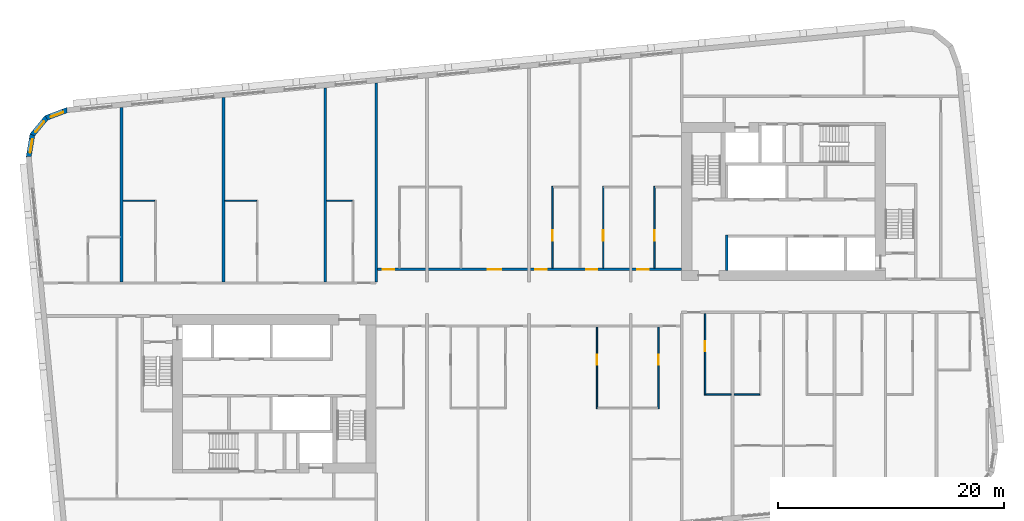
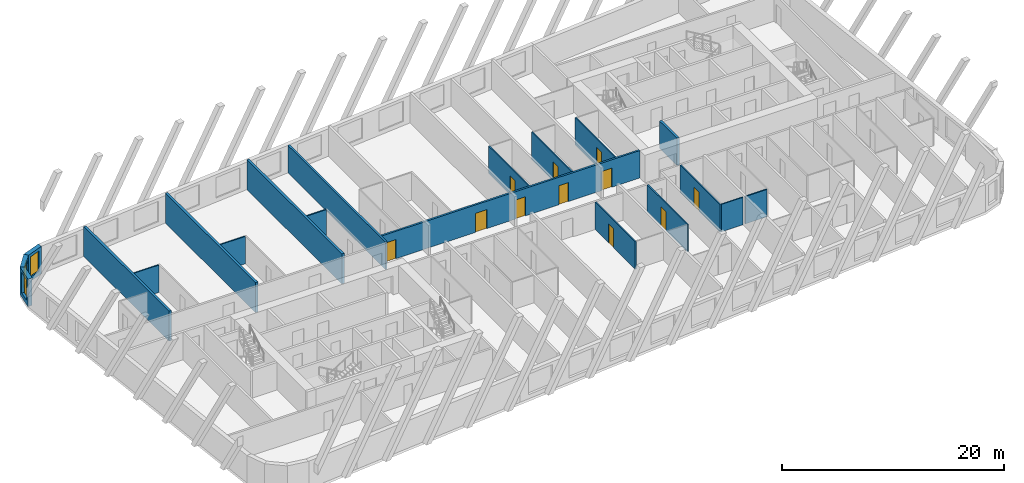
# One storey, part 5 of 13: 20 walls, 11 doors, 3 windows, 14 openings.
"""IFC4 building model written with IfcOpenShell, lengths in metres."""

from ifc_helpers import new_model, si_unit, direction, frame, frame_2d, origin, place, context, subcontext, project, spatial, polyline, rectangle, outline, extrude, material, layer, layer_set, type_object, element, fill, save


model = new_model("IFC4")

# Units and contexts
model_context = context("Model", 3, precision=1e-05, world=origin(), true_north=direction((0.0, 1.0)))
body_context = subcontext(model_context, "Body", "Model", "MODEL_VIEW")
ifc_project = project(units=[si_unit("LENGTHUNIT", "METRE"), si_unit("AREAUNIT", "SQUARE_METRE"), si_unit("VOLUMEUNIT", "CUBIC_METRE"), si_unit("PLANEANGLEUNIT", "RADIAN"), si_unit("MASSUNIT", "GRAM", prefix="KILO")], contexts=[model_context])

# Site, building, storey
site_placement = place(None, origin())
site = spatial("IfcSite", under=ifc_project, at=site_placement, CompositionType="ELEMENT")
building_placement = place(site_placement, origin())
building = spatial("IfcBuilding", under=site, at=building_placement, Name="Kajstack Hotel Tower", CompositionType="ELEMENT")
storey_placement = place(building_placement, frame((0.0, 0.0, 196.60009765625)))
storey = spatial("IfcBuildingStorey", under=building, at=storey_placement, Name="L47", CompositionType="ELEMENT", Elevation=196.60009765625)

# Wall, openings, doors
ifc_material_1 = material(Name="Gypsum board on steel studs, mineral wool", Category="steel")
ifc_layer_1 = layer(ifc_material_1, 0.199951171875)
ifc_layer_set_1 = layer_set([ifc_layer_1], Name="Corridor wall 200")
wall_type_1 = type_object("IfcWallType", Name="Corridor wall 200", PredefinedType="PARTITIONING", material=ifc_layer_set_1)
wall_1_placement = place(storey_placement, frame((-13.5, 2.5, 0.0), z_axis=(0.0, 0.0, 1.0), x_axis=(1.0, 0.0, 0.0)))
wall_1 = element("IfcWall", 1, at=wall_1_placement, inside=storey, type_object=wall_type_1, Name="G-wall-L47-004", PredefinedType="PARTITIONING", context=body_context, shape_type="SweptSolid", body=[
    extrude(rectangle(XDim=27.0, YDim=0.199951171875, at=frame_2d((13.5, 0.0))), origin(), (0.0, 0.0, 1.0), 3.02001953125),
])
opening_1_placement = place(wall_1_placement, frame((0.574951171875, 0.0, 0.0)))
opening_1 = element("IfcOpeningElement", 2, at=opening_1_placement, cuts=wall_1, Name="Opening 47009", PredefinedType="OPENING", context=body_context, shape_type="SweptSolid", body=[
    extrude(rectangle(XDim=1.0, YDim=2.10009765625, at=frame_2d((0.5, 1.050048828125))), frame((0.0, 0.10986328125, 0.0), z_axis=(0.0, -1.0, 0.0), x_axis=(1.0, 0.0, 0.0)), (0.0, 0.0, 1.0), 0.219970703125),
])
opening_2_placement = place(wall_1_placement, frame((9.863037109375, 0.0, 0.0)))
opening_2 = element("IfcOpeningElement", 3, at=opening_2_placement, cuts=wall_1, Name="Opening 47011", PredefinedType="OPENING", context=body_context, shape_type="SweptSolid", body=[
    extrude(rectangle(XDim=1.199951171875, YDim=2.10009765625, at=frame_2d((0.60009765625, 1.050048828125))), frame((0.0, 0.10986328125, 0.0), z_axis=(0.0, -1.0, 0.0), x_axis=(1.0, 0.0, 0.0)), (0.0, 0.0, 1.0), 0.219970703125),
])
opening_3_placement = place(wall_1_placement, frame((14.074951171875, 0.0, 0.0)))
opening_3 = element("IfcOpeningElement", 4, at=opening_3_placement, cuts=wall_1, Name="Opening 47013", PredefinedType="OPENING", context=body_context, shape_type="SweptSolid", body=[
    extrude(rectangle(XDim=1.0, YDim=2.10009765625, at=frame_2d((0.5, 1.050048828125))), frame((0.0, 0.10986328125, 0.0), z_axis=(0.0, -1.0, 0.0), x_axis=(1.0, 0.0, 0.0)), (0.0, 0.0, 1.0), 0.219970703125),
])
opening_4_placement = place(wall_1_placement, frame((18.550048828125, 0.0, 0.0)))
opening_4 = element("IfcOpeningElement", 5, at=opening_4_placement, cuts=wall_1, Name="Opening 47015", PredefinedType="OPENING", context=body_context, shape_type="SweptSolid", body=[
    extrude(rectangle(XDim=1.0, YDim=2.10009765625, at=frame_2d((0.5, 1.050048828125))), frame((0.0, 0.10986328125, 0.0), z_axis=(0.0, -1.0, 0.0), x_axis=(1.0, 0.0, 0.0)), (0.0, 0.0, 1.0), 0.219970703125),
])
opening_5_placement = place(wall_1_placement, frame((23.074951171875, 0.0, 0.0)))
opening_5 = element("IfcOpeningElement", 6, at=opening_5_placement, cuts=wall_1, Name="Opening 47017", PredefinedType="OPENING", context=body_context, shape_type="SweptSolid", body=[
    extrude(rectangle(XDim=1.0, YDim=2.10009765625, at=frame_2d((0.5, 1.050048828125))), frame((0.0, 0.10986328125, 0.0), z_axis=(0.0, -1.0, 0.0), x_axis=(1.0, 0.0, 0.0)), (0.0, 0.0, 1.0), 0.219970703125),
])
ifc_material_2 = material(Name="Oak veneer on timber core, fire-rated leaf", Category="wood")
door_type_1 = type_object("IfcDoorType", Name="Flat entrance door 1000", OperationType="SINGLE_SWING_LEFT", PredefinedType="DOOR", material=ifc_material_2)
door_1_placement = place(opening_1_placement, origin())
door_1 = element("IfcDoor", 7, at=door_1_placement, inside=storey, type_object=door_type_1, Name="G-door-L47-09", OperationType="SINGLE_SWING_LEFT", OverallHeight=2.10009765625, OverallWidth=1.0, PredefinedType="DOOR", context=body_context, shape_type="SweptSolid", body=[
    extrude(rectangle(XDim=1.0, YDim=2.10009765625, at=frame_2d((0.5, 1.050048828125))), frame((0.0, 0.02490234375, 0.0), z_axis=(0.0, -1.0, 0.0), x_axis=(1.0, 0.0, 0.0)), (0.0, 0.0, 1.0), 0.050048828125),
])
fill(opening_1, door_1)
door_2_placement = place(opening_3_placement, origin())
door_2 = element("IfcDoor", 8, at=door_2_placement, inside=storey, type_object=door_type_1, Name="G-door-L47-13", OperationType="SINGLE_SWING_RIGHT", OverallHeight=2.10009765625, OverallWidth=1.0, PredefinedType="DOOR", context=body_context, shape_type="SweptSolid", body=[
    extrude(rectangle(XDim=1.0, YDim=2.10009765625, at=frame_2d((0.5, 1.050048828125))), frame((0.0, 0.02490234375, 0.0), z_axis=(0.0, -1.0, 0.0), x_axis=(1.0, 0.0, 0.0)), (0.0, 0.0, 1.0), 0.050048828125),
])
fill(opening_3, door_2)
door_3_placement = place(opening_4_placement, origin())
door_3 = element("IfcDoor", 9, at=door_3_placement, inside=storey, type_object=door_type_1, Name="G-door-L47-15", OperationType="SINGLE_SWING_LEFT", OverallHeight=2.10009765625, OverallWidth=1.0, PredefinedType="DOOR", context=body_context, shape_type="SweptSolid", body=[
    extrude(rectangle(XDim=1.0, YDim=2.10009765625, at=frame_2d((0.5, 1.050048828125))), frame((0.0, 0.02490234375, 0.0), z_axis=(0.0, -1.0, 0.0), x_axis=(1.0, 0.0, 0.0)), (0.0, 0.0, 1.0), 0.050048828125),
])
fill(opening_4, door_3)
door_4_placement = place(opening_5_placement, origin())
door_4 = element("IfcDoor", 10, at=door_4_placement, inside=storey, type_object=door_type_1, Name="G-door-L47-17", OperationType="SINGLE_SWING_LEFT", OverallHeight=2.10009765625, OverallWidth=1.0, PredefinedType="DOOR", context=body_context, shape_type="SweptSolid", body=[
    extrude(rectangle(XDim=1.0, YDim=2.10009765625, at=frame_2d((0.5, 1.050048828125))), frame((0.0, 0.02490234375, 0.0), z_axis=(0.0, -1.0, 0.0), x_axis=(1.0, 0.0, 0.0)), (0.0, 0.0, 1.0), 0.050048828125),
])
fill(opening_5, door_4)
door_type_2 = type_object("IfcDoorType", Name="Flat entrance door 1200", OperationType="SINGLE_SWING_LEFT", PredefinedType="DOOR", material=ifc_material_2)
door_5_placement = place(opening_2_placement, origin())
door_5 = element("IfcDoor", 11, at=door_5_placement, inside=storey, type_object=door_type_2, Name="G-door-L47-11", OperationType="SINGLE_SWING_LEFT", OverallHeight=2.10009765625, OverallWidth=1.199951171875, PredefinedType="DOOR", context=body_context, shape_type="SweptSolid", body=[
    extrude(rectangle(XDim=1.199951171875, YDim=2.10009765625, at=frame_2d((0.60009765625, 1.050048828125))), frame((0.0, 0.02490234375, 0.0), z_axis=(0.0, -1.0, 0.0), x_axis=(1.0, 0.0, 0.0)), (0.0, 0.0, 1.0), 0.050048828125),
])
fill(opening_2, door_5)

# Wall
ifc_material_3 = material(Name="Twin-frame gypsum board on steel studs, mineral wool", Category="steel")
ifc_layer_2 = layer(ifc_material_3, 0.199951171875)
ifc_layer_set_2 = layer_set([ifc_layer_2], Name="Demising wall 200")
wall_type_2 = type_object("IfcWallType", Name="Demising wall 200", PredefinedType="PARTITIONING", material=ifc_layer_set_2)
wall_2_placement = place(storey_placement, frame((-13.5, 1.39990234375, 0.0), z_axis=(0.0, 0.0, 1.0), x_axis=(0.0, 1.0, 0.0)))
element("IfcWall", 12, at=wall_2_placement, inside=storey, type_object=wall_type_2, Name="G-wall-L47-011", PredefinedType="PARTITIONING", context=body_context, shape_type="SweptSolid", body=[
    extrude(rectangle(XDim=17.590087890625, YDim=0.199951171875, at=frame_2d((8.794921875, 0.0))), origin(), (0.0, 0.0, 1.0), 3.02001953125),
])

# Wall, opening, window
ifc_material_4 = material(Name="Terracotta-faced brick masonry", Category="masonry")
ifc_layer_3 = layer(ifc_material_4, 0.449951171875)
ifc_layer_set_3 = layer_set([ifc_layer_3], Name="EW-TERRA")
wall_type_3 = type_object("IfcWallType", Name="EW-TERRA", PredefinedType="SOLIDWALL", material=ifc_layer_set_3)
wall_3_placement = place(storey_placement, frame((-40.76123046875, 16.598388671875, 0.0), z_axis=(0.0, 0.0, 1.0), x_axis=(-0.936677599948, -0.350192909346, 0.0)))
wall_3 = element("IfcWall", 13, at=wall_3_placement, inside=storey, type_object=wall_type_3, Name="E-wall-L47-13-00", PredefinedType="SOLIDWALL", context=body_context, shape_type="SweptSolid", body=[
    extrude(outline(polyline([(0.0, -0.22509765625), (2.070556640625, -0.224853515625), (1.949951171875, 0.22509765625), (0.12060546875, 0.22509765625), (0.0, -0.22509765625)])), origin(), (0.0, 0.0, 1.0), 3.02001953125),
])
opening_6_placement = place(wall_3_placement, frame((0.435302734375, 0.0, 0.449951171875)))
opening_6 = element("IfcOpeningElement", 14, at=opening_6_placement, cuts=wall_3, Name="Opening W3", PredefinedType="OPENING", context=body_context, shape_type="SweptSolid", body=[
    extrude(rectangle(XDim=1.199951171875, YDim=2.25, at=frame_2d((0.60009765625, 1.125))), frame((0.0, 0.23486328125, 0.0), z_axis=(0.0, -1.0, 0.0), x_axis=(1.0, 0.0, 0.0)), (0.0, 0.0, 1.0), 0.469970703125),
])
ifc_material_5 = material(Name="Timber-aluminium window, triple glazed", Category="wood")
window_type = type_object("IfcWindowType", Name="WG3", PartitioningType="SINGLE_PANEL", PredefinedType="WINDOW", material=ifc_material_5)
window_1_placement = place(opening_6_placement, origin())
window_1 = element("IfcWindow", 15, at=window_1_placement, inside=storey, type_object=window_type, Name="Window W3 L47-13", OverallHeight=2.25, OverallWidth=1.199951171875, PartitioningType="SINGLE_PANEL", PredefinedType="WINDOW", context=body_context, shape_type="SweptSolid", body=[
    extrude(rectangle(XDim=1.199951171875, YDim=2.25, at=frame_2d((0.60009765625, 1.125))), frame((0.0, 0.090087890625, 0.0), z_axis=(0.0, -1.0, 0.0), x_axis=(1.0, 0.0, 0.0)), (0.0, 0.0, 1.0), 0.06005859375),
])
fill(opening_6, window_1)

wall_4_placement = place(storey_placement, frame((-42.60595703125, 15.94091796875, 0.0), z_axis=(0.0, 0.0, 1.0), x_axis=(-0.636116318187, -0.771593176315, 0.0)))
wall_4 = element("IfcWall", 16, at=wall_4_placement, inside=storey, type_object=wall_type_3, Name="E-wall-L47-14-00", PredefinedType="SOLIDWALL", context=body_context, shape_type="SweptSolid", body=[
    extrude(outline(polyline([(0.0, -0.224853515625), (2.070556640625, -0.224853515625), (1.949951171875, 0.22509765625), (0.12060546875, 0.22509765625), (0.0, -0.224853515625)])), origin(), (0.0, 0.0, 1.0), 3.02001953125),
])
opening_7_placement = place(wall_4_placement, frame((0.435302734375, 0.0, 0.449951171875)))
opening_7 = element("IfcOpeningElement", 17, at=opening_7_placement, cuts=wall_4, Name="Opening W3", PredefinedType="OPENING", context=body_context, shape_type="SweptSolid", body=[
    extrude(rectangle(XDim=1.199951171875, YDim=2.25, at=frame_2d((0.60009765625, 1.125))), frame((0.0, 0.23486328125, 0.0), z_axis=(0.0, -1.0, 0.0), x_axis=(1.0, 0.0, 0.0)), (0.0, 0.0, 1.0), 0.469970703125),
])
window_2_placement = place(opening_7_placement, origin())
window_2 = element("IfcWindow", 18, at=window_2_placement, inside=storey, type_object=window_type, Name="Window W3 L47-14", OverallHeight=2.25, OverallWidth=1.199951171875, PartitioningType="SINGLE_PANEL", PredefinedType="WINDOW", context=body_context, shape_type="SweptSolid", body=[
    extrude(rectangle(XDim=1.199951171875, YDim=2.25, at=frame_2d((0.60009765625, 1.125))), frame((0.0, 0.090087890625, 0.0), z_axis=(0.0, -1.0, 0.0), x_axis=(1.0, 0.0, 0.0)), (0.0, 0.0, 1.0), 0.06005859375),
])
fill(opening_7, window_2)

wall_5_placement = place(storey_placement, frame((-43.874755859375, 14.44921875, 0.0), z_axis=(0.0, 0.0, 1.0), x_axis=(-0.164953448126, -0.986301353518, 0.0)))
wall_5 = element("IfcWall", 19, at=wall_5_placement, inside=storey, type_object=wall_type_3, Name="E-wall-L47-15-00", PredefinedType="SOLIDWALL", context=body_context, shape_type="SweptSolid", body=[
    extrude(outline(polyline([(0.0, -0.224853515625), (2.070556640625, -0.22509765625), (1.9501953125, 0.224853515625), (0.12060546875, 0.22509765625), (0.0, -0.224853515625)])), origin(), (0.0, 0.0, 1.0), 3.02001953125),
])
opening_8_placement = place(wall_5_placement, frame((0.435302734375, 0.0, 0.449951171875)))
opening_8 = element("IfcOpeningElement", 20, at=opening_8_placement, cuts=wall_5, Name="Opening W3", PredefinedType="OPENING", context=body_context, shape_type="SweptSolid", body=[
    extrude(rectangle(XDim=1.199951171875, YDim=2.25, at=frame_2d((0.60009765625, 1.125))), frame((0.0, 0.23486328125, 0.0), z_axis=(0.0, -1.0, 0.0), x_axis=(1.0, 0.0, 0.0)), (0.0, 0.0, 1.0), 0.469970703125),
])
window_3_placement = place(opening_8_placement, origin())
window_3 = element("IfcWindow", 21, at=window_3_placement, inside=storey, type_object=window_type, Name="Window W3 L47-15", OverallHeight=2.25, OverallWidth=1.199951171875, PartitioningType="SINGLE_PANEL", PredefinedType="WINDOW", context=body_context, shape_type="SweptSolid", body=[
    extrude(rectangle(XDim=1.199951171875, YDim=2.25, at=frame_2d((0.60009765625, 1.125))), frame((0.0, 0.090087890625, 0.0), z_axis=(0.0, -1.0, 0.0), x_axis=(1.0, 0.0, 0.0)), (0.0, 0.0, 1.0), 0.06005859375),
])
fill(opening_8, window_3)

# Walls
ifc_material_6 = material(Name="Gypsum board and tiled backer on steel studs", Category="steel")
ifc_layer_4 = layer(ifc_material_6, 0.125)
ifc_layer_set_4 = layer_set([ifc_layer_4], Name="En-suite wall 125")
wall_type_4 = type_object("IfcWallType", Name="En-suite wall 125", PredefinedType="PARTITIONING", material=ifc_layer_set_4)
for number, where, z_axis, x_axis, name in (
    (22, (-35.875, 8.56201171875, 0.0), (0.0, 0.0, 1.0), (1.0, 0.0, 0.0), "G-wall-L47-008"),
    (23, (-26.875, 8.56201171875, 0.0), (0.0, 0.0, 1.0), (1.0, 0.0, 0.0), "G-wall-L47-010"),
):
    element("IfcWall", number, at=place(storey_placement, frame(where, z_axis=z_axis, x_axis=x_axis)), inside=storey, type_object=wall_type_4, Name=name, PredefinedType="PARTITIONING", context=body_context, shape_type="SweptSolid", body=[
        extrude(rectangle(XDim=2.800048828125, YDim=0.125, at=frame_2d((1.39990234375, 0.0))), origin(), (0.0, 0.0, 1.0), 3.02001953125),
    ])
wall_6_placement = place(storey_placement, frame((-17.875, 8.56201171875, 0.0), z_axis=(0.0, 0.0, 1.0), x_axis=(1.0, 0.0, 0.0)))
element("IfcWall", 24, at=wall_6_placement, inside=storey, type_object=wall_type_4, Name="G-wall-L47-013", PredefinedType="PARTITIONING", context=body_context, shape_type="SweptSolid", body=[
    extrude(rectangle(XDim=2.25, YDim=0.125, at=frame_2d((1.125, 0.0))), origin(), (0.0, 0.0, 1.0), 3.02001953125),
])

# Wall, opening, door
wall_7_placement = place(storey_placement, frame((2.0869140625, 2.60009765625, 0.0), z_axis=(0.0, 0.0, 1.0), x_axis=(0.0, 1.0, 0.0)))
wall_7 = element("IfcWall", 25, at=wall_7_placement, inside=storey, type_object=wall_type_4, Name="G-wall-L47-019", PredefinedType="PARTITIONING", context=body_context, shape_type="SweptSolid", body=[
    extrude(rectangle(XDim=7.224853515625, YDim=0.125, at=frame_2d((3.6123046875, 0.0))), origin(), (0.0, 0.0, 1.0), 3.02001953125),
])
opening_9_placement = place(wall_7_placement, frame((2.449951171875, 0.0, 0.0)))
opening_9 = element("IfcOpeningElement", 26, at=opening_9_placement, cuts=wall_7, Name="Opening 47014", PredefinedType="OPENING", context=body_context, shape_type="SweptSolid", body=[
    extrude(rectangle(XDim=0.89990234375, YDim=2.10009765625, at=frame_2d((0.449951171875, 1.050048828125))), frame((0.0, 0.072509765625, 0.0), z_axis=(0.0, -1.0, 0.0), x_axis=(1.0, 0.0, 0.0)), (0.0, 0.0, 1.0), 0.14501953125),
])
ifc_material_7 = material(Name="Painted timber door leaf", Category="wood")
door_type_3 = type_object("IfcDoorType", Name="Room door 900", OperationType="SINGLE_SWING_LEFT", PredefinedType="DOOR", material=ifc_material_7)
door_6_placement = place(opening_9_placement, origin())
door_6 = element("IfcDoor", 27, at=door_6_placement, inside=storey, type_object=door_type_3, Name="G-door-L47-14", OperationType="SINGLE_SWING_RIGHT", OverallHeight=2.10009765625, OverallWidth=0.89990234375, PredefinedType="DOOR", context=body_context, shape_type="SweptSolid", body=[
    extrude(rectangle(XDim=0.89990234375, YDim=2.10009765625, at=frame_2d((0.449951171875, 1.050048828125))), frame((0.0, 0.02490234375, 0.0), z_axis=(0.0, -1.0, 0.0), x_axis=(1.0, 0.0, 0.0)), (0.0, 0.0, 1.0), 0.050048828125),
])
fill(opening_9, door_6)

wall_8_placement = place(storey_placement, frame((6.56201171875, 2.60009765625, 0.0), z_axis=(0.0, 0.0, 1.0), x_axis=(0.0, 1.0, 0.0)))
wall_8 = element("IfcWall", 28, at=wall_8_placement, inside=storey, type_object=wall_type_4, Name="G-wall-L47-021", PredefinedType="PARTITIONING", context=body_context, shape_type="SweptSolid", body=[
    extrude(rectangle(XDim=7.224853515625, YDim=0.125, at=frame_2d((3.6123046875, 0.0))), origin(), (0.0, 0.0, 1.0), 3.02001953125),
])
opening_10_placement = place(wall_8_placement, frame((2.449951171875, 0.0, 0.0)))
opening_10 = element("IfcOpeningElement", 29, at=opening_10_placement, cuts=wall_8, Name="Opening 47016", PredefinedType="OPENING", context=body_context, shape_type="SweptSolid", body=[
    extrude(rectangle(XDim=0.89990234375, YDim=2.10009765625, at=frame_2d((0.449951171875, 1.050048828125))), frame((0.0, 0.072509765625, 0.0), z_axis=(0.0, -1.0, 0.0), x_axis=(1.0, 0.0, 0.0)), (0.0, 0.0, 1.0), 0.14501953125),
])
door_7_placement = place(opening_10_placement, origin())
door_7 = element("IfcDoor", 30, at=door_7_placement, inside=storey, type_object=door_type_3, Name="G-door-L47-16", OperationType="SINGLE_SWING_LEFT", OverallHeight=2.10009765625, OverallWidth=0.89990234375, PredefinedType="DOOR", context=body_context, shape_type="SweptSolid", body=[
    extrude(rectangle(XDim=0.89990234375, YDim=2.10009765625, at=frame_2d((0.449951171875, 1.050048828125))), frame((0.0, 0.02490234375, 0.0), z_axis=(0.0, -1.0, 0.0), x_axis=(1.0, 0.0, 0.0)), (0.0, 0.0, 1.0), 0.050048828125),
])
fill(opening_10, door_7)

wall_9_placement = place(storey_placement, frame((11.087890625, 2.60009765625, 0.0), z_axis=(0.0, 0.0, 1.0), x_axis=(0.0, 1.0, 0.0)))
wall_9 = element("IfcWall", 31, at=wall_9_placement, inside=storey, type_object=wall_type_4, Name="G-wall-L47-023", PredefinedType="PARTITIONING", context=body_context, shape_type="SweptSolid", body=[
    extrude(rectangle(XDim=7.224853515625, YDim=0.125, at=frame_2d((3.6123046875, 0.0))), origin(), (0.0, 0.0, 1.0), 3.02001953125),
])
opening_11_placement = place(wall_9_placement, frame((2.449951171875, 0.0, 0.0)))
opening_11 = element("IfcOpeningElement", 32, at=opening_11_placement, cuts=wall_9, Name="Opening 47018", PredefinedType="OPENING", context=body_context, shape_type="SweptSolid", body=[
    extrude(rectangle(XDim=0.89990234375, YDim=2.10009765625, at=frame_2d((0.449951171875, 1.050048828125))), frame((0.0, 0.072509765625, 0.0), z_axis=(0.0, -1.0, 0.0), x_axis=(1.0, 0.0, 0.0)), (0.0, 0.0, 1.0), 0.14501953125),
])
door_8_placement = place(opening_11_placement, origin())
door_8 = element("IfcDoor", 33, at=door_8_placement, inside=storey, type_object=door_type_3, Name="G-door-L47-18", OperationType="SINGLE_SWING_RIGHT", OverallHeight=2.10009765625, OverallWidth=0.89990234375, PredefinedType="DOOR", context=body_context, shape_type="SweptSolid", body=[
    extrude(rectangle(XDim=0.89990234375, YDim=2.10009765625, at=frame_2d((0.449951171875, 1.050048828125))), frame((0.0, 0.02490234375, 0.0), z_axis=(0.0, -1.0, 0.0), x_axis=(1.0, 0.0, 0.0)), (0.0, 0.0, 1.0), 0.050048828125),
])
fill(opening_11, door_8)

wall_10_placement = place(storey_placement, frame((6.012939453125, -9.824951171875, 0.0), z_axis=(0.0, 0.0, 1.0), x_axis=(0.0, 1.0, 0.0)))
wall_10 = element("IfcWall", 34, at=wall_10_placement, inside=storey, type_object=wall_type_4, Name="G-wall-L47-035", PredefinedType="PARTITIONING", context=body_context, shape_type="SweptSolid", body=[
    extrude(rectangle(XDim=7.224853515625, YDim=0.125, at=frame_2d((3.6123046875, 0.0))), origin(), (0.0, 0.0, 1.0), 3.02001953125),
])
opening_12_placement = place(wall_10_placement, frame((3.875, 0.0, 0.0)))
opening_12 = element("IfcOpeningElement", 35, at=opening_12_placement, cuts=wall_10, Name="Opening 47027", PredefinedType="OPENING", context=body_context, shape_type="SweptSolid", body=[
    extrude(rectangle(XDim=0.89990234375, YDim=2.10009765625, at=frame_2d((0.449951171875, 1.050048828125))), frame((0.0, 0.072509765625, 0.0), z_axis=(0.0, -1.0, 0.0), x_axis=(1.0, 0.0, 0.0)), (0.0, 0.0, 1.0), 0.14501953125),
])
door_9_placement = place(opening_12_placement, origin())
door_9 = element("IfcDoor", 36, at=door_9_placement, inside=storey, type_object=door_type_3, Name="G-door-L47-27", OperationType="SINGLE_SWING_LEFT", OverallHeight=2.10009765625, OverallWidth=0.89990234375, PredefinedType="DOOR", context=body_context, shape_type="SweptSolid", body=[
    extrude(rectangle(XDim=0.89990234375, YDim=2.10009765625, at=frame_2d((0.449951171875, 1.050048828125))), frame((0.0, 0.02490234375, 0.0), z_axis=(0.0, -1.0, 0.0), x_axis=(1.0, 0.0, 0.0)), (0.0, 0.0, 1.0), 0.050048828125),
])
fill(opening_12, door_9)

wall_11_placement = place(storey_placement, frame((11.43798828125, -9.824951171875, 0.0), z_axis=(0.0, 0.0, 1.0), x_axis=(0.0, 1.0, 0.0)))
wall_11 = element("IfcWall", 37, at=wall_11_placement, inside=storey, type_object=wall_type_4, Name="G-wall-L47-038", PredefinedType="PARTITIONING", context=body_context, shape_type="SweptSolid", body=[
    extrude(rectangle(XDim=7.224853515625, YDim=0.125, at=frame_2d((3.6123046875, 0.0))), origin(), (0.0, 0.0, 1.0), 3.02001953125),
])
opening_13_placement = place(wall_11_placement, frame((3.875, 0.0, 0.0)))
opening_13 = element("IfcOpeningElement", 38, at=opening_13_placement, cuts=wall_11, Name="Opening 47029", PredefinedType="OPENING", context=body_context, shape_type="SweptSolid", body=[
    extrude(rectangle(XDim=0.89990234375, YDim=2.10009765625, at=frame_2d((0.449951171875, 1.050048828125))), frame((0.0, 0.072509765625, 0.0), z_axis=(0.0, -1.0, 0.0), x_axis=(1.0, 0.0, 0.0)), (0.0, 0.0, 1.0), 0.14501953125),
])
door_10_placement = place(opening_13_placement, origin())
door_10 = element("IfcDoor", 39, at=door_10_placement, inside=storey, type_object=door_type_3, Name="G-door-L47-29", OperationType="SINGLE_SWING_RIGHT", OverallHeight=2.10009765625, OverallWidth=0.89990234375, PredefinedType="DOOR", context=body_context, shape_type="SweptSolid", body=[
    extrude(rectangle(XDim=0.89990234375, YDim=2.10009765625, at=frame_2d((0.449951171875, 1.050048828125))), frame((0.0, 0.02490234375, 0.0), z_axis=(0.0, -1.0, 0.0), x_axis=(1.0, 0.0, 0.0)), (0.0, 0.0, 1.0), 0.050048828125),
])
fill(opening_13, door_10)

wall_12_placement = place(storey_placement, frame((15.56201171875, -8.625, 0.0), z_axis=(0.0, 0.0, 1.0), x_axis=(0.0, 1.0, 0.0)))
wall_12 = element("IfcWall", 40, at=wall_12_placement, inside=storey, type_object=wall_type_4, Name="G-wall-L47-041", PredefinedType="PARTITIONING", context=body_context, shape_type="SweptSolid", body=[
    extrude(rectangle(XDim=7.22509765625, YDim=0.125, at=frame_2d((3.612548828125, 0.0))), origin(), (0.0, 0.0, 1.0), 3.02001953125),
])
opening_14_placement = place(wall_12_placement, frame((3.875, 0.0, 0.0)))
opening_14 = element("IfcOpeningElement", 41, at=opening_14_placement, cuts=wall_12, Name="Opening 47032", PredefinedType="OPENING", context=body_context, shape_type="SweptSolid", body=[
    extrude(rectangle(XDim=0.89990234375, YDim=2.10009765625, at=frame_2d((0.449951171875, 1.050048828125))), frame((0.0, 0.072509765625, 0.0), z_axis=(0.0, -1.0, 0.0), x_axis=(1.0, 0.0, 0.0)), (0.0, 0.0, 1.0), 0.14501953125),
])
door_11_placement = place(opening_14_placement, origin())
door_11 = element("IfcDoor", 42, at=door_11_placement, inside=storey, type_object=door_type_3, Name="G-door-L47-32", OperationType="SINGLE_SWING_LEFT", OverallHeight=2.10009765625, OverallWidth=0.89990234375, PredefinedType="DOOR", context=body_context, shape_type="SweptSolid", body=[
    extrude(rectangle(XDim=0.89990234375, YDim=2.10009765625, at=frame_2d((0.449951171875, 1.050048828125))), frame((0.0, 0.02490234375, 0.0), z_axis=(0.0, -1.0, 0.0), x_axis=(1.0, 0.0, 0.0)), (0.0, 0.0, 1.0), 0.050048828125),
])
fill(opening_14, door_11)

# Walls
for number, where, z_axis, x_axis, name in (
    (43, (15.625, -8.56201171875, 0.0), (0.0, 0.0, 1.0), (1.0, 0.0, 0.0), "G-wall-L47-042"),
    (44, (18.125, -8.56201171875, 0.0), (0.0, 0.0, 1.0), (1.0, 0.0, 0.0), "G-wall-L47-045"),
):
    element("IfcWall", number, at=place(storey_placement, frame(where, z_axis=z_axis, x_axis=x_axis)), inside=storey, type_object=wall_type_4, Name=name, PredefinedType="PARTITIONING", context=body_context, shape_type="SweptSolid", body=[
        extrude(rectangle(XDim=2.25, YDim=0.125, at=frame_2d((1.125, 0.0))), origin(), (0.0, 0.0, 1.0), 3.02001953125),
    ])
ifc_material_8 = material(Name="Concrete C50/60", Category="concrete")
ifc_layer_5 = layer(ifc_material_8, 0.25)
ifc_layer_set_5 = layer_set([ifc_layer_5], Name="RC cross wall 250 C50/60")
wall_type_5 = type_object("IfcWallType", Name="RC cross wall 250 C50/60", PredefinedType="SHEAR", material=ifc_layer_set_5)
wall_13_placement = place(storey_placement, frame((-36.0, 1.39990234375, 0.0), z_axis=(0.0, 0.0, 1.0), x_axis=(0.0, 1.0, 0.0)))
element("IfcWall", 45, at=wall_13_placement, inside=storey, type_object=wall_type_5, Name="S-wall-L47-01", PredefinedType="SHEAR", context=body_context, shape_type="SweptSolid", body=[
    extrude(rectangle(XDim=15.401123046875, YDim=0.25, at=frame_2d((7.70068359375, 0.0))), origin(), (0.0, 0.0, 1.0), 3.2998046875),
])
wall_14_placement = place(storey_placement, frame((-27.0, 1.39990234375, 0.0), z_axis=(0.0, 0.0, 1.0), x_axis=(0.0, 1.0, 0.0)))
element("IfcWall", 46, at=wall_14_placement, inside=storey, type_object=wall_type_5, Name="S-wall-L47-02", PredefinedType="SHEAR", context=body_context, shape_type="SweptSolid", body=[
    extrude(rectangle(XDim=16.267578125, YDim=0.25, at=frame_2d((8.1337890625, 0.0))), origin(), (0.0, 0.0, 1.0), 3.2998046875),
])
wall_15_placement = place(storey_placement, frame((-18.0, 1.39990234375, 0.0), z_axis=(0.0, 0.0, 1.0), x_axis=(0.0, 1.0, 0.0)))
element("IfcWall", 47, at=wall_15_placement, inside=storey, type_object=wall_type_5, Name="S-wall-L47-03", PredefinedType="SHEAR", context=body_context, shape_type="SweptSolid", body=[
    extrude(rectangle(XDim=17.13427734375, YDim=0.25, at=frame_2d((8.567138671875, 0.0))), origin(), (0.0, 0.0, 1.0), 3.2998046875),
])
ifc_layer_6 = layer(ifc_material_8, 0.25)
ifc_layer_set_6 = layer_set([ifc_layer_6], Name="Shaft wall 250")
wall_type_6 = type_object("IfcWallType", Name="Shaft wall 250", PredefinedType="SHEAR", material=ifc_layer_set_6)
wall_16_placement = place(storey_placement, frame((17.47509765625, 2.39990234375, 0.0), z_axis=(0.0, 0.0, 1.0), x_axis=(0.0, 1.0, 0.0)))
element("IfcWall", 48, at=wall_16_placement, inside=storey, type_object=wall_type_6, Name="Core wall E AE", PredefinedType="SHEAR", context=body_context, shape_type="SweptSolid", body=[
    extrude(rectangle(XDim=3.150146484375, YDim=0.25, at=frame_2d((1.5751953125, 0.0))), origin(), (0.0, 0.0, 1.0), 3.02001953125),
])

save(model, "model.ifc")
